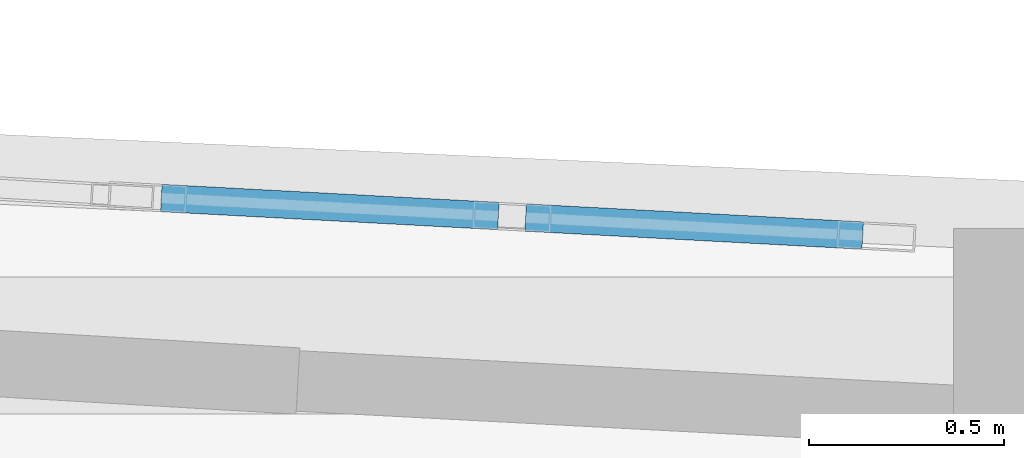
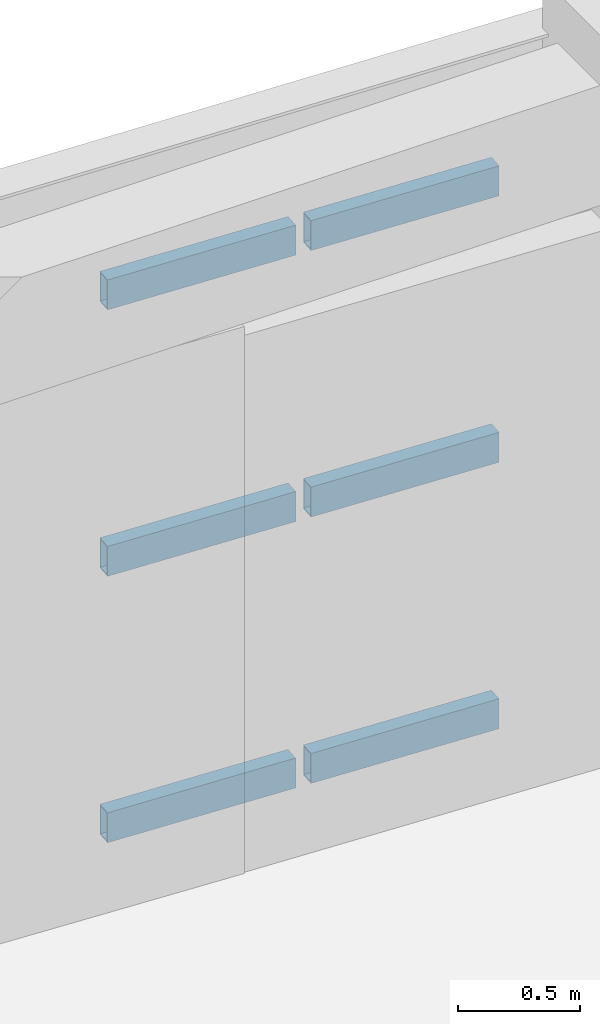
# One storey, part 50 of 73: 6 members, 1 element without a shape of its own.
"""IFC4 building model written with IfcOpenShell, lengths in metres."""

from ifc_helpers import new_model, si_unit, direction, frame, origin, origin_2d, place, context, subcontext, project, spatial, hollow_rectangle, extrude, material, layer, layer_set, material_profile, profile_set, type_object, element, aggregate, save


model = new_model("IFC4")

# Units and contexts
model_context = context("Model", 3, precision=1e-05, world=origin(), true_north=direction((0.0, 1.0)))
body_context = subcontext(model_context, "Body", "Model", "MODEL_VIEW")
ifc_project = project(units=[si_unit("LENGTHUNIT", "METRE"), si_unit("AREAUNIT", "SQUARE_METRE"), si_unit("VOLUMEUNIT", "CUBIC_METRE"), si_unit("PLANEANGLEUNIT", "RADIAN"), si_unit("MASSUNIT", "GRAM", prefix="KILO")], contexts=[model_context])

# Site, building, storey
site_placement = place(None, origin())
site = spatial("IfcSite", under=ifc_project, at=site_placement, CompositionType="ELEMENT")
building_placement = place(site_placement, origin())
building = spatial("IfcBuilding", under=site, at=building_placement, Name="Carrowvane Square Congress Hotel", CompositionType="ELEMENT")
storey_placement = place(building_placement, frame((0.0, 0.0, 19.199951171875)))
storey = spatial("IfcBuildingStorey", under=building, at=storey_placement, Name="L04", CompositionType="ELEMENT", Elevation=19.199951171875)

# Curtain wall, members
ifc_material_1 = material(Name="Anodised aluminium", Category="aluminium")
ifc_layer = layer(ifc_material_1, 0.24609375)
ifc_layer_set = layer_set([ifc_layer], Name="Anodised aluminium")
curtain_wall_type = type_object("IfcCurtainWallType", Name="CW-SYS-8", PredefinedType="NOTDEFINED", material=ifc_layer_set)
curtain_wall_placement = place(storey_placement, origin())
curtain_wall = element("IfcCurtainWall", 1, at=curtain_wall_placement, inside=storey, type_object=curtain_wall_type, Name="L04 unitised curtain wall 295", PredefinedType="NOTDEFINED")
ifc_material_2 = material(Name="Anodised aluminium", Category="aluminium")
ifc_material_profile = material_profile(ifc_material_2, hollow_rectangle(XDim=0.070068359375, YDim=0.14990234375, WallThickness=0.0048828125, at=origin_2d()), Name="CW-TR 70x150x5")
ifc_profile_set = profile_set([ifc_material_profile], Name="Anodised aluminium")
member_type = type_object("IfcMemberType", Name="CW-TRN-2", PredefinedType="USERDEFINED", material=ifc_profile_set)
member_1_placement = place(storey_placement, frame((153.27001953125, 113.777587890625, 0.03515625), z_axis=(0.998575394314, -0.053358990536, 0.0), x_axis=(0.053358990536, 0.998575394314, 0.0)))
member_1 = element("IfcMember", 2, at=member_1_placement, type_object=member_type, Name="CW-8 transom 1.1", ObjectType="TRANSOM", PredefinedType="USERDEFINED", context=body_context, shape_type="SweptSolid", body=[
    extrude(hollow_rectangle(XDim=0.070068359375, YDim=0.14990234375, WallThickness=0.0048828125, at=origin_2d()), origin(), (0.0, 0.0, 1.0), 0.86474609375),
])
member_2_placement = place(storey_placement, frame((153.27001953125, 113.777587890625, 1.367431640625), z_axis=(0.998575394314, -0.053358990536, 0.0), x_axis=(0.053358990536, 0.998575394314, 0.0)))
member_2 = element("IfcMember", 3, at=member_2_placement, type_object=member_type, Name="CW-8 transom 1.2", ObjectType="TRANSOM", PredefinedType="USERDEFINED", context=body_context, shape_type="SweptSolid", body=[
    extrude(hollow_rectangle(XDim=0.070068359375, YDim=0.14990234375, WallThickness=0.0048828125, at=origin_2d()), origin(), (0.0, 0.0, 1.0), 0.86474609375),
])
member_3_placement = place(storey_placement, frame((153.27001953125, 113.777587890625, 2.699951171875), z_axis=(0.998575394314, -0.053358990536, 0.0), x_axis=(0.053358990536, 0.998575394314, 0.0)))
member_3 = element("IfcMember", 4, at=member_3_placement, type_object=member_type, Name="CW-8 transom 1.3", ObjectType="TRANSOM", PredefinedType="USERDEFINED", context=body_context, shape_type="SweptSolid", body=[
    extrude(hollow_rectangle(XDim=0.070068359375, YDim=0.14990234375, WallThickness=0.0048828125, at=origin_2d()), origin(), (0.0, 0.0, 1.0), 0.86474609375),
])
member_4_placement = place(storey_placement, frame((154.203369140625, 113.7275390625, 0.03515625), z_axis=(0.998575394314, -0.053358990536, 0.0), x_axis=(0.053358990536, 0.998575394314, 0.0)))
member_4 = element("IfcMember", 5, at=member_4_placement, type_object=member_type, Name="CW-8 transom 2.1", ObjectType="TRANSOM", PredefinedType="USERDEFINED", context=body_context, shape_type="SweptSolid", body=[
    extrude(hollow_rectangle(XDim=0.070068359375, YDim=0.14990234375, WallThickness=0.0048828125, at=origin_2d()), origin(), (0.0, 0.0, 1.0), 0.86474609375),
])
member_5_placement = place(storey_placement, frame((154.203369140625, 113.7275390625, 1.367431640625), z_axis=(0.998575394314, -0.053358990536, 0.0), x_axis=(0.053358990536, 0.998575394314, 0.0)))
member_5 = element("IfcMember", 6, at=member_5_placement, type_object=member_type, Name="CW-8 transom 2.2", ObjectType="TRANSOM", PredefinedType="USERDEFINED", context=body_context, shape_type="SweptSolid", body=[
    extrude(hollow_rectangle(XDim=0.070068359375, YDim=0.14990234375, WallThickness=0.0048828125, at=origin_2d()), origin(), (0.0, 0.0, 1.0), 0.86474609375),
])
member_6_placement = place(storey_placement, frame((154.203369140625, 113.7275390625, 2.699951171875), z_axis=(0.998575394314, -0.053358990536, 0.0), x_axis=(0.053358990536, 0.998575394314, 0.0)))
member_6 = element("IfcMember", 7, at=member_6_placement, type_object=member_type, Name="CW-8 transom 2.3", ObjectType="TRANSOM", PredefinedType="USERDEFINED", context=body_context, shape_type="SweptSolid", body=[
    extrude(hollow_rectangle(XDim=0.070068359375, YDim=0.14990234375, WallThickness=0.0048828125, at=origin_2d()), origin(), (0.0, 0.0, 1.0), 0.86474609375),
])
aggregate(curtain_wall, [member_1, member_2, member_3, member_4, member_5, member_6])

save(model, "model.ifc")
